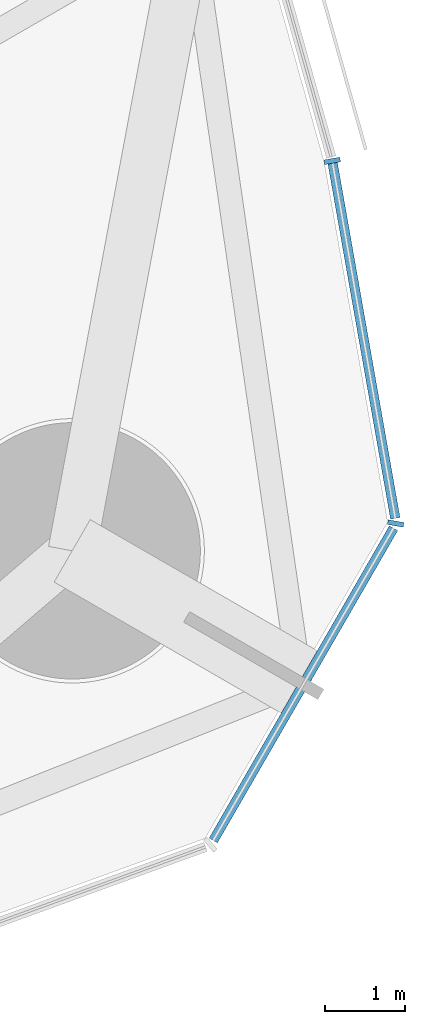
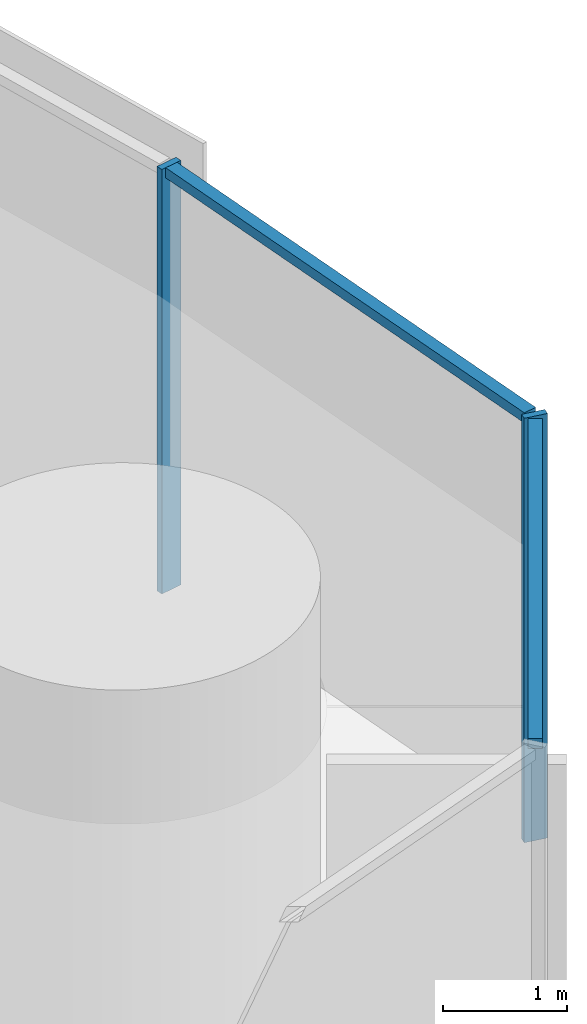
# One storey, part 9 of 20: 4 members, 1 element without a shape of its own.
"""IFC4 building model written with IfcOpenShell, lengths in metres."""

from ifc_helpers import new_model, si_unit, direction, frame, origin, origin_2d, place, context, subcontext, project, spatial, rectangle, extrude, material, material_profile, profile_set, type_object, element, aggregate, save


model = new_model("IFC4")

# Units and contexts
model_context = context("Model", 3, precision=1e-05, world=origin(), true_north=direction((0.0, 1.0)))
body_context = subcontext(model_context, "Body", "Model", "MODEL_VIEW")
ifc_project = project(units=[si_unit("LENGTHUNIT", "METRE"), si_unit("AREAUNIT", "SQUARE_METRE"), si_unit("VOLUMEUNIT", "CUBIC_METRE"), si_unit("PLANEANGLEUNIT", "RADIAN"), si_unit("MASSUNIT", "GRAM", prefix="KILO")], contexts=[model_context])

# Site, building, storey
site_placement = place(None, origin())
site = spatial("IfcSite", under=ifc_project, at=site_placement, CompositionType="ELEMENT")
building_placement = place(site_placement, origin())
building = spatial("IfcBuilding", under=site, at=building_placement, Name="Trefoil Bronze Tower", CompositionType="ELEMENT")
storey_placement = place(building_placement, frame((0.0, 0.0, 214.89990234375)))
storey = spatial("IfcBuildingStorey", under=building, at=storey_placement, Name="L49", CompositionType="ELEMENT", Elevation=214.89990234375)

# Curtain wall, members
ifc_material_1 = material(Name="Tinted solar-control glass", Category="glass")
curtain_wall_type = type_object("IfcCurtainWallType", Name="Bronze rounded corner curtain wall", PredefinedType="USERDEFINED", material=ifc_material_1)
curtain_wall_placement = place(storey_placement, origin())
curtain_wall = element("IfcCurtainWall", 1, at=curtain_wall_placement, inside=storey, type_object=curtain_wall_type, Name="CW-B L49 K1", ObjectType="CURTAIN WALL", PredefinedType="USERDEFINED")
ifc_material_2 = material(Name="Bronze-finish aluminium", Category="aluminium")
ifc_material_profile_1 = material_profile(ifc_material_2, rectangle(XDim=0.199951171875, YDim=0.06005859375, at=origin_2d()), Name="CW-B mullion")
ifc_profile_set_1 = profile_set([ifc_material_profile_1], Name="Bronze-finish aluminium")
member_type_1 = type_object("IfcMemberType", Name="Bronze rounded corner curtain wall mullion", PredefinedType="MULLION", material=ifc_profile_set_1)
member_1_placement = place(storey_placement, frame((32.616943359375, -16.158935546875, 0.0), z_axis=(0.0, 0.0, 1.0), x_axis=(-0.984807753012, 0.173648177667, 0.0)))
member_1 = element("IfcMember", 2, at=member_1_placement, type_object=member_type_1, Name="CW-B L49 K1 mullion 3", PredefinedType="MULLION", context=body_context, shape_type="SweptSolid", body=[
    extrude(rectangle(XDim=0.199951171875, YDim=0.06005859375, at=origin_2d()), origin(), (0.0, 0.0, 1.0), 4.18017578125),
])
member_2_placement = place(storey_placement, frame((31.824951171875, -11.63330078125, 0.0), z_axis=(0.0, 0.0, 1.0), x_axis=(-0.984807753012, -0.173648177667, 0.0)))
member_2 = element("IfcMember", 3, at=member_2_placement, type_object=member_type_1, Name="CW-B L49 K1 mullion 4", PredefinedType="MULLION", context=body_context, shape_type="SweptSolid", body=[
    extrude(rectangle(XDim=0.199951171875, YDim=0.06005859375, at=origin_2d()), origin(), (0.0, 0.0, 1.0), 4.18017578125),
])
ifc_material_3 = material(Name="Bronze-finish aluminium", Category="aluminium")
ifc_material_profile_2 = material_profile(ifc_material_3, rectangle(XDim=0.1201171875, YDim=0.10009765625, at=origin_2d()), Name="CW-B transom")
ifc_profile_set_2 = profile_set([ifc_material_profile_2], Name="Bronze-finish aluminium")
member_type_2 = type_object("IfcMemberType", Name="Bronze rounded corner curtain wall transom", PredefinedType="USERDEFINED", material=ifc_profile_set_2)
member_3_placement = place(storey_placement, frame((30.33984375, -20.114990234375, 4.130126953125), z_axis=(0.500007335828, 0.866021168401, 0.0), x_axis=(-0.866021168401, 0.500007335828, 0.0)))
member_3 = element("IfcMember", 4, at=member_3_placement, type_object=member_type_2, Name="CW-B L49 K1 transom 2", ObjectType="TRANSOM", PredefinedType="USERDEFINED", context=body_context, shape_type="SweptSolid", body=[
    extrude(rectangle(XDim=0.1201171875, YDim=0.10009765625, at=origin_2d()), origin(), (0.0, 0.0, 1.0), 4.50048828125),
])
member_4_placement = place(storey_placement, frame((32.611572265625, -16.0947265625, 4.130126953125), z_axis=(-0.173655350028, 0.984806488304, 0.0), x_axis=(-0.984806488304, -0.173655350028, 0.0)))
member_4 = element("IfcMember", 5, at=member_4_placement, type_object=member_type_2, Name="CW-B L49 K1 transom 3", ObjectType="TRANSOM", PredefinedType="USERDEFINED", context=body_context, shape_type="SweptSolid", body=[
    extrude(rectangle(XDim=0.1201171875, YDim=0.10009765625, at=origin_2d()), origin(), (0.0, 0.0, 1.0), 4.500244140625),
])
aggregate(curtain_wall, [member_1, member_2, member_3, member_4])

save(model, "model.ifc")
